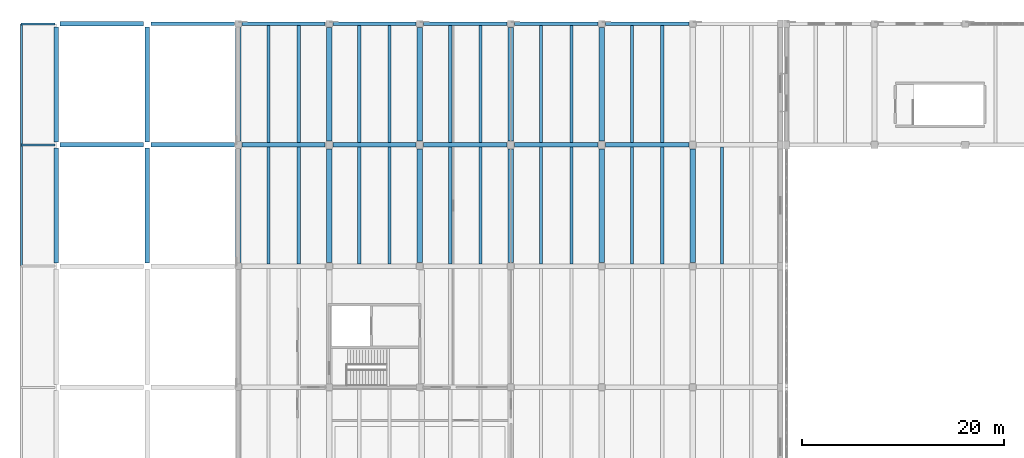
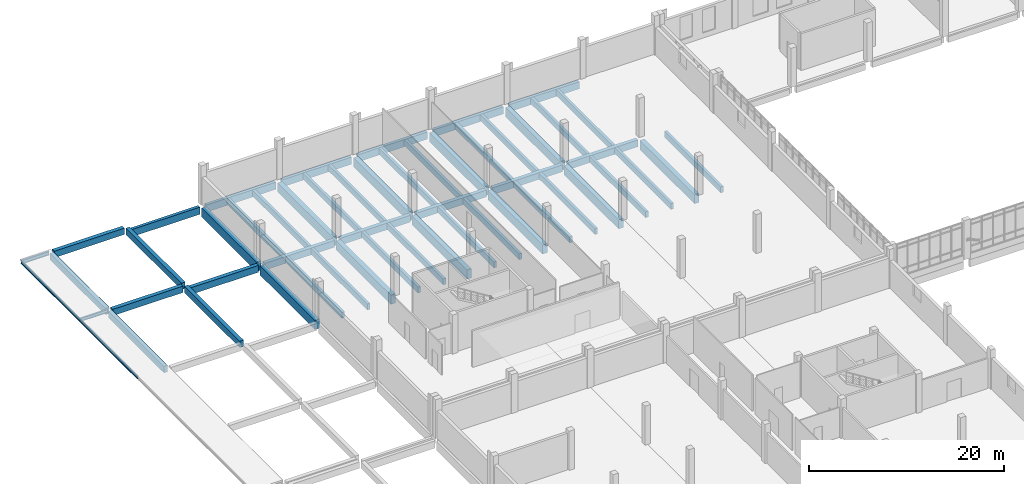
# One storey, part 49 of 110: 54 beams.
"""IFC4 building model written with IfcOpenShell, lengths in metres."""

from ifc_helpers import new_model, si_unit, direction, frame, origin, origin_2d, place, context, subcontext, project, spatial, rectangle, i_section, extrude, material, material_profile, profile_set, type_object, element, save


model = new_model("IFC4")

# Units and contexts
model_context = context("Model", 3, precision=1e-05, world=origin(), true_north=direction((0.0, 1.0)))
body_context = subcontext(model_context, "Body", "Model", "MODEL_VIEW")
ifc_project = project(units=[si_unit("LENGTHUNIT", "METRE"), si_unit("AREAUNIT", "SQUARE_METRE"), si_unit("VOLUMEUNIT", "CUBIC_METRE"), si_unit("PLANEANGLEUNIT", "RADIAN"), si_unit("MASSUNIT", "GRAM", prefix="KILO")], contexts=[model_context])

# Site, building, storey
site_placement = place(None, origin())
site = spatial("IfcSite", under=ifc_project, at=site_placement, CompositionType="ELEMENT")
building_placement = place(site_placement, origin())
building = spatial("IfcBuilding", under=site, at=building_placement, Name="Zacnel Wholesale Market", CompositionType="ELEMENT")
storey_placement = place(building_placement, frame((0.0, 0.0, 6.300048828125)))
storey = spatial("IfcBuildingStorey", under=building, at=storey_placement, Name="L02", CompositionType="ELEMENT", Elevation=6.300048828125)

# Beams
ifc_material_1 = material(Name="Precast concrete C45/55", Category="concrete")
ifc_material_profile_1 = material_profile(ifc_material_1, rectangle(XDim=0.320068359375, YDim=0.75, at=origin_2d()), Name="DT RIB 320x750")
ifc_profile_set_1 = profile_set([ifc_material_profile_1], Name="Precast concrete C45/55")
beam_type_1 = type_object("IfcBeamType", Name="BM-DT750", PredefinedType="JOIST", material=ifc_profile_set_1)
for number, where, z_axis, x_axis, name in (
    (1, (21.0, 120.22509765625, -0.695068359375), (0.0, 1.0, 0.0), (-1.0, 0.0, 0.0), "Precast secondary joist L02-0301"),
    (2, (24.0, 120.22509765625, -0.695068359375), (0.0, 1.0, 0.0), (-1.0, 0.0, 0.0), "Precast secondary joist L02-0302"),
    (3, (30.0, 120.22509765625, -0.695068359375), (0.0, 1.0, 0.0), (-1.0, 0.0, 0.0), "Precast secondary joist L02-0303"),
    (4, (33.0, 120.22509765625, -0.695068359375), (0.0, 1.0, 0.0), (-1.0, 0.0, 0.0), "Precast secondary joist L02-0304"),
    (5, (39.0, 120.22509765625, -0.695068359375), (0.0, 1.0, 0.0), (-1.0, 0.0, 0.0), "Precast secondary joist L02-0305"),
    (6, (42.0, 120.22509765625, -0.695068359375), (0.0, 1.0, 0.0), (-1.0, 0.0, 0.0), "Precast secondary joist L02-0306"),
    (7, (48.0, 120.22509765625, -0.695068359375), (0.0, 1.0, 0.0), (-1.0, 0.0, 0.0), "Precast secondary joist L02-0307"),
    (8, (51.0, 120.22509765625, -0.695068359375), (0.0, 1.0, 0.0), (-1.0, 0.0, 0.0), "Precast secondary joist L02-0308"),
    (9, (57.0, 120.22509765625, -0.695068359375), (0.0, 1.0, 0.0), (-1.0, 0.0, 0.0), "Precast secondary joist L02-0309"),
    (10, (60.0, 120.22509765625, -0.695068359375), (0.0, 1.0, 0.0), (-1.0, 0.0, 0.0), "Precast secondary joist L02-0310"),
    (11, (65.89990234375, 120.22509765625, -0.695068359375), (0.0, 1.0, 0.0), (-1.0, 0.0, 0.0), "Precast secondary joist L02-0311"),
):
    element("IfcBeam", number, at=place(storey_placement, frame(where, z_axis=z_axis, x_axis=x_axis)), inside=storey, type_object=beam_type_1, Name=name, PredefinedType="JOIST", context=body_context, shape_type="SweptSolid", body=[
        extrude(rectangle(XDim=0.320068359375, YDim=0.75, at=origin_2d()), origin(), (0.0, 0.0, 1.0), 11.5498046875),
    ])
for number, where, z_axis, x_axis, name in (
    (12, (21.0, 132.22509765625, -0.695068359375), (0.0, 1.0, 0.0), (-1.0, 0.0, 0.0), "Precast secondary joist L02-0313"),
    (13, (24.0, 132.22509765625, -0.695068359375), (0.0, 1.0, 0.0), (-1.0, 0.0, 0.0), "Precast secondary joist L02-0314"),
    (14, (30.0, 132.22509765625, -0.695068359375), (0.0, 1.0, 0.0), (-1.0, 0.0, 0.0), "Precast secondary joist L02-0315"),
    (15, (33.0, 132.22509765625, -0.695068359375), (0.0, 1.0, 0.0), (-1.0, 0.0, 0.0), "Precast secondary joist L02-0316"),
    (16, (39.0, 132.22509765625, -0.695068359375), (0.0, 1.0, 0.0), (-1.0, 0.0, 0.0), "Precast secondary joist L02-0317"),
    (17, (42.0, 132.22509765625, -0.695068359375), (0.0, 1.0, 0.0), (-1.0, 0.0, 0.0), "Precast secondary joist L02-0318"),
    (18, (48.0, 132.22509765625, -0.695068359375), (0.0, 1.0, 0.0), (-1.0, 0.0, 0.0), "Precast secondary joist L02-0319"),
    (19, (51.0, 132.22509765625, -0.695068359375), (0.0, 1.0, 0.0), (-1.0, 0.0, 0.0), "Precast secondary joist L02-0320"),
    (20, (57.0, 132.22509765625, -0.695068359375), (0.0, 1.0, 0.0), (-1.0, 0.0, 0.0), "Precast secondary joist L02-0321"),
    (21, (60.0, 132.22509765625, -0.695068359375), (0.0, 1.0, 0.0), (-1.0, 0.0, 0.0), "Precast secondary joist L02-0322"),
):
    element("IfcBeam", number, at=place(storey_placement, frame(where, z_axis=z_axis, x_axis=x_axis)), inside=storey, type_object=beam_type_1, Name=name, PredefinedType="JOIST", context=body_context, shape_type="SweptSolid", body=[
        extrude(rectangle(XDim=0.320068359375, YDim=0.75, at=origin_2d()), origin(), (0.0, 0.0, 1.0), 11.599853515625),
    ])
ifc_material_2 = material(Name="Precast concrete C45/55", Category="concrete")
ifc_material_profile_2 = material_profile(ifc_material_2, rectangle(XDim=0.550048828125, YDim=1.14990234375, at=origin_2d()), Name="PG 550x1150")
ifc_profile_set_2 = profile_set([ifc_material_profile_2], Name="Precast concrete C45/55")
beam_type_2 = type_object("IfcBeamType", Name="BM-PG1150", PredefinedType="T_BEAM", material=ifc_profile_set_2)
for number, where, z_axis, x_axis, name in (
    (22, (18.0, 120.375, -0.89501953125), (0.0, 1.0, 0.0), (-1.0, 0.0, 0.0), "Precast girder Y-0334"),
    (23, (18.0, 132.375, -0.89501953125), (0.0, 1.0, 0.0), (-1.0, 0.0, 0.0), "Precast girder Y-0335"),
    (24, (27.0, 120.375, -0.89501953125), (0.0, 1.0, 0.0), (-1.0, 0.0, 0.0), "Precast girder Y-0346"),
    (25, (27.0, 132.375, -0.89501953125), (0.0, 1.0, 0.0), (-1.0, 0.0, 0.0), "Precast girder Y-0347"),
    (26, (36.0, 120.375, -0.89501953125), (0.0, 1.0, 0.0), (-1.0, 0.0, 0.0), "Precast girder Y-0358"),
    (27, (36.0, 132.375, -0.89501953125), (0.0, 1.0, 0.0), (-1.0, 0.0, 0.0), "Precast girder Y-0359"),
    (28, (45.0, 120.375, -0.89501953125), (0.0, 1.0, 0.0), (-1.0, 0.0, 0.0), "Precast girder Y-0370"),
    (29, (45.0, 132.375, -0.89501953125), (0.0, 1.0, 0.0), (-1.0, 0.0, 0.0), "Precast girder Y-0371"),
    (30, (54.0, 120.375, -0.89501953125), (0.0, 1.0, 0.0), (-1.0, 0.0, 0.0), "Precast girder Y-0385"),
    (31, (54.0, 132.375, -0.89501953125), (0.0, 1.0, 0.0), (-1.0, 0.0, 0.0), "Precast girder Y-0386"),
    (32, (63.0, 120.375, -0.89501953125), (0.0, 1.0, 0.0), (-1.0, 0.0, 0.0), "Precast girder Y-0399"),
):
    element("IfcBeam", number, at=place(storey_placement, frame(where, z_axis=z_axis, x_axis=x_axis)), inside=storey, type_object=beam_type_2, Name=name, PredefinedType="T_BEAM", context=body_context, shape_type="SweptSolid", body=[
        extrude(rectangle(XDim=0.550048828125, YDim=1.14990234375, at=origin_2d()), origin(), (0.0, 0.0, 1.0), 11.25),
    ])
ifc_material_3 = material(Name="Precast concrete C45/55", Category="concrete")
ifc_material_profile_3 = material_profile(ifc_material_3, rectangle(XDim=0.449951171875, YDim=0.800048828125, at=origin_2d()), Name="PG 450x800")
ifc_profile_set_3 = profile_set([ifc_material_profile_3], Name="Precast concrete C45/55")
beam_type_3 = type_object("IfcBeamType", Name="BM-PG800", PredefinedType="BEAM", material=ifc_profile_set_3)
for number, where, z_axis, x_axis, name in (
    (33, (0.35009765625, 132.0, -0.16015625), (1.0, 0.0, 0.0), (0.0, 1.0, 0.0), "Precast girder X-0258"),
    (34, (0.35009765625, 144.0, -0.16015625), (1.0, 0.0, 0.0), (0.0, 1.0, 0.0), "Precast girder X-0279"),
):
    element("IfcBeam", number, at=place(storey_placement, frame(where, z_axis=z_axis, x_axis=x_axis)), inside=storey, type_object=beam_type_3, Name=name, PredefinedType="BEAM", context=body_context, shape_type="SweptSolid", body=[
        extrude(rectangle(XDim=0.449951171875, YDim=0.800048828125, at=origin_2d()), origin(), (0.0, 0.0, 1.0), 8.2998046875),
    ])
for number, where, z_axis, x_axis, name in (
    (35, (0.0, 120.300048828125, -0.16015625), (0.0, 1.0, 0.0), (-1.0, 0.0, 0.0), "Precast girder Y-0310"),
    (36, (0.0, 132.300048828125, -0.16015625), (0.0, 1.0, 0.0), (-1.0, 0.0, 0.0), "Precast girder Y-0311"),
    (37, (9.0, 120.300048828125, -0.16015625), (0.0, 1.0, 0.0), (-1.0, 0.0, 0.0), "Precast girder Y-0322"),
    (38, (9.0, 132.300048828125, -0.16015625), (0.0, 1.0, 0.0), (-1.0, 0.0, 0.0), "Precast girder Y-0323"),
):
    element("IfcBeam", number, at=place(storey_placement, frame(where, z_axis=z_axis, x_axis=x_axis)), inside=storey, type_object=beam_type_3, Name=name, PredefinedType="BEAM", context=body_context, shape_type="SweptSolid", body=[
        extrude(rectangle(XDim=0.449951171875, YDim=0.800048828125, at=origin_2d()), origin(), (0.0, 0.0, 1.0), 11.39990234375),
    ])
ifc_material_4 = material(Name="Precast concrete C45/55", Category="concrete")
ifc_material_profile_4 = material_profile(ifc_material_4, rectangle(XDim=0.449951171875, YDim=0.85009765625, at=origin_2d()), Name="PG 450x850")
ifc_profile_set_4 = profile_set([ifc_material_profile_4], Name="Precast concrete C45/55")
beam_type_4 = type_object("IfcBeamType", Name="BM-PG850", PredefinedType="BEAM", material=ifc_profile_set_4)
beam_1_placement = place(storey_placement, frame((9.35009765625, 132.0, -0.72509765625), z_axis=(1.0, 0.0, 0.0), x_axis=(0.0, 1.0, 0.0)))
element("IfcBeam", 39, at=beam_1_placement, inside=storey, type_object=beam_type_4, Name="Precast girder X-0259", PredefinedType="BEAM", context=body_context, shape_type="SweptSolid", body=[
    extrude(rectangle(XDim=0.449951171875, YDim=0.85009765625, at=origin_2d()), origin(), (0.0, 0.0, 1.0), 8.27490234375),
])
for number, where, z_axis, x_axis, name in (
    (40, (18.375, 132.0, -0.7451171875), (1.0, 0.0, 0.0), (0.0, 1.0, 0.0), "Precast girder X-0260"),
    (41, (27.375, 132.0, -0.7451171875), (1.0, 0.0, 0.0), (0.0, 1.0, 0.0), "Precast girder X-0261"),
    (42, (36.375, 132.0, -0.7451171875), (1.0, 0.0, 0.0), (0.0, 1.0, 0.0), "Precast girder X-0262"),
    (43, (45.375, 132.0, -0.7451171875), (1.0, 0.0, 0.0), (0.0, 1.0, 0.0), "Precast girder X-0263"),
    (44, (54.375, 132.0, -0.7451171875), (1.0, 0.0, 0.0), (0.0, 1.0, 0.0), "Precast girder X-0264"),
):
    element("IfcBeam", number, at=place(storey_placement, frame(where, z_axis=z_axis, x_axis=x_axis)), inside=storey, type_object=beam_type_4, Name=name, PredefinedType="BEAM", context=body_context, shape_type="SweptSolid", body=[
        extrude(rectangle(XDim=0.449951171875, YDim=0.85009765625, at=origin_2d()), origin(), (0.0, 0.0, 1.0), 8.25),
    ])
ifc_material_5 = material(Name="Precast concrete C45/55", Category="concrete")
ifc_material_profile_5 = material_profile(ifc_material_5, rectangle(XDim=0.35009765625, YDim=0.89990234375, at=origin_2d()), Name="SP 350x900")
ifc_profile_set_5 = profile_set([ifc_material_profile_5], Name="Precast concrete C45/55")
beam_type_5 = type_object("IfcBeamType", Name="BM-SP900", PredefinedType="SPANDREL", material=ifc_profile_set_5)
beam_2_placement = place(storey_placement, frame((9.35009765625, 144.0, -0.75), z_axis=(1.0, 0.0, 0.0), x_axis=(0.0, 1.0, 0.0)))
element("IfcBeam", 45, at=beam_2_placement, inside=storey, type_object=beam_type_5, Name="Precast girder X-0280", PredefinedType="SPANDREL", context=body_context, shape_type="SweptSolid", body=[
    extrude(rectangle(XDim=0.35009765625, YDim=0.89990234375, at=origin_2d()), origin(), (0.0, 0.0, 1.0), 8.27490234375),
])
for number, where, z_axis, x_axis, name in (
    (46, (18.375, 144.0, -0.77001953125), (1.0, 0.0, 0.0), (0.0, 1.0, 0.0), "Precast girder X-0281"),
    (47, (27.375, 144.0, -0.77001953125), (1.0, 0.0, 0.0), (0.0, 1.0, 0.0), "Precast girder X-0282"),
    (48, (36.375, 144.0, -0.77001953125), (1.0, 0.0, 0.0), (0.0, 1.0, 0.0), "Precast girder X-0283"),
    (49, (45.375, 144.0, -0.77001953125), (1.0, 0.0, 0.0), (0.0, 1.0, 0.0), "Precast girder X-0284"),
    (50, (54.375, 144.0, -0.77001953125), (1.0, 0.0, 0.0), (0.0, 1.0, 0.0), "Precast girder X-0285"),
):
    element("IfcBeam", number, at=place(storey_placement, frame(where, z_axis=z_axis, x_axis=x_axis)), inside=storey, type_object=beam_type_5, Name=name, PredefinedType="SPANDREL", context=body_context, shape_type="SweptSolid", body=[
        extrude(rectangle(XDim=0.35009765625, YDim=0.89990234375, at=origin_2d()), origin(), (0.0, 0.0, 1.0), 8.25),
    ])
ifc_material_6 = material(Name="Steel S355", Category="steel")
ifc_material_profile_6 = material_profile(ifc_material_6, i_section(OverallWidth=0.172119140625, OverallDepth=0.35791015625, WebThickness=0.0078125, FlangeThickness=0.01318359375, FilletRadius=0.010986328125, at=origin_2d()), Name="W360X57.8")
ifc_profile_set_6 = profile_set([ifc_material_profile_6], Name="Steel S355")
beam_type_6 = type_object("IfcBeamType", Name="BM-STL-W360", PredefinedType="BEAM", material=ifc_profile_set_6)
for number, where, z_axis, x_axis, name in (
    (51, (-3.449951171875, 120.02001953125, 0.14501953125), (0.0, 1.0, 0.0), (-1.0, 0.0, 0.0), "Dock canopy fascia beam 120-132"),
    (52, (-3.449951171875, 132.02001953125, 0.14501953125), (0.0, 1.0, 0.0), (-1.0, 0.0, 0.0), "Dock canopy fascia beam 132-144"),
):
    element("IfcBeam", number, at=place(storey_placement, frame(where, z_axis=z_axis, x_axis=x_axis)), inside=storey, type_object=beam_type_6, Name=name, PredefinedType="BEAM", context=body_context, shape_type="SweptSolid", body=[
        extrude(i_section(OverallWidth=0.172119140625, OverallDepth=0.35791015625, WebThickness=0.0078125, FlangeThickness=0.01318359375, FilletRadius=0.010986328125, at=origin_2d()), origin(), (0.0, 0.0, 1.0), 11.9599609375),
    ])
ifc_material_7 = material(Name="Steel S355", Category="steel")
ifc_material_profile_7 = material_profile(ifc_material_7, i_section(OverallWidth=0.178955078125, OverallDepth=0.409912109375, WebThickness=0.0087890625, FlangeThickness=0.014404296875, FilletRadius=0.011962890625, at=origin_2d()), Name="W410X67")
ifc_profile_set_7 = profile_set([ifc_material_profile_7], Name="Steel S355")
beam_type_7 = type_object("IfcBeamType", Name="BM-STL-W410", PredefinedType="BEAM", material=ifc_profile_set_7)
beam_3_placement = place(storey_placement, frame((-0.14990234375, 132.0, 0.118896484375), z_axis=(-1.0, 0.0, 0.0), x_axis=(0.0, -1.0, 0.0)))
element("IfcBeam", 53, at=beam_3_placement, inside=storey, type_object=beam_type_7, Name="Dock canopy steel outrigger 14", PredefinedType="BEAM", context=body_context, shape_type="SweptSolid", body=[
    extrude(i_section(OverallWidth=0.178955078125, OverallDepth=0.409912109375, WebThickness=0.0087890625, FlangeThickness=0.014404296875, FilletRadius=0.011962890625, at=origin_2d()), origin(), (0.0, 0.0, 1.0), 3.330078125),
])
ifc_material_8 = material(Name="Steel S355", Category="steel")
ifc_material_profile_8 = material_profile(ifc_material_8, i_section(OverallWidth=0.19091796875, OverallDepth=0.4599609375, WebThickness=0.010009765625, FlangeThickness=0.01611328125, FilletRadius=0.012939453125, at=origin_2d()), Name="W460X82")
ifc_profile_set_8 = profile_set([ifc_material_profile_8], Name="Steel S355")
beam_type_8 = type_object("IfcBeamType", Name="BM-STL-W460", PredefinedType="BEAM", material=ifc_profile_set_8)
beam_4_placement = place(storey_placement, frame((-0.14990234375, 144.0, 0.093994140625), z_axis=(-1.0, 0.0, 0.0), x_axis=(0.0, -1.0, 0.0)))
element("IfcBeam", 54, at=beam_4_placement, inside=storey, type_object=beam_type_8, Name="Dock canopy steel outrigger 15", PredefinedType="BEAM", context=body_context, shape_type="SweptSolid", body=[
    extrude(i_section(OverallWidth=0.19091796875, OverallDepth=0.4599609375, WebThickness=0.010009765625, FlangeThickness=0.01611328125, FilletRadius=0.012939453125, at=origin_2d()), origin(), (0.0, 0.0, 1.0), 3.330078125),
])

save(model, "model.ifc")
